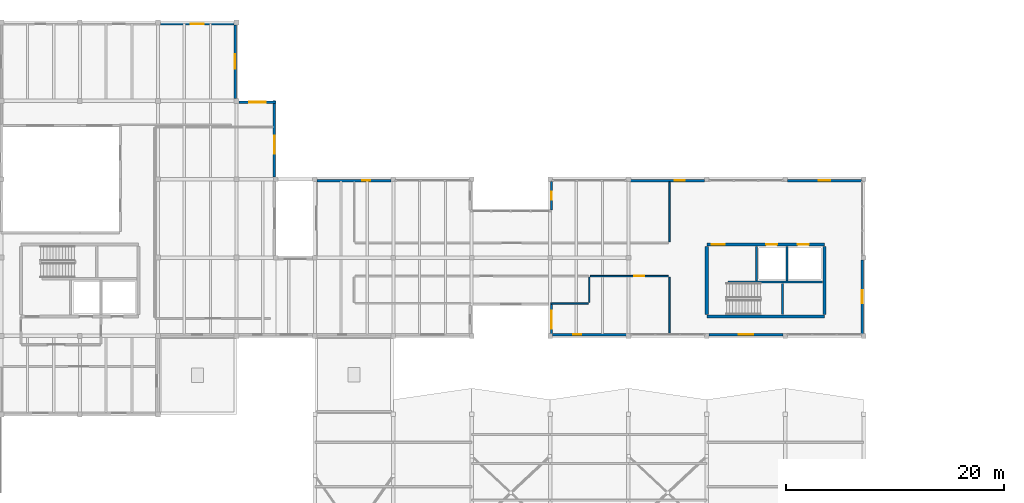
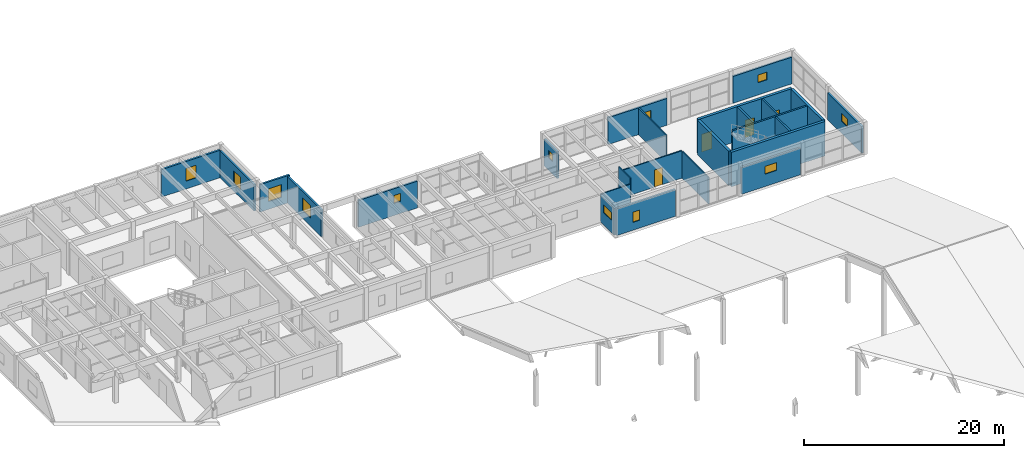
# One storey, part 60 of 68: 25 walls, 12 windows, 4 doors, 16 openings.
"""IFC4 building model written with IfcOpenShell, lengths in metres."""

from ifc_helpers import new_model, si_unit, direction, frame, frame_2d, origin, place, context, subcontext, project, spatial, rectangle, extrude, material, layer, layer_set, type_object, element, fill, save


model = new_model("IFC4")

# Units and contexts
model_context = context("Model", 3, precision=1e-05, world=origin(), true_north=direction((0.0, 1.0)))
body_context = subcontext(model_context, "Body", "Model", "MODEL_VIEW")
ifc_project = project(units=[si_unit("LENGTHUNIT", "METRE"), si_unit("AREAUNIT", "SQUARE_METRE"), si_unit("VOLUMEUNIT", "CUBIC_METRE"), si_unit("PLANEANGLEUNIT", "RADIAN"), si_unit("MASSUNIT", "GRAM", prefix="KILO")], contexts=[model_context])

# Site, building, storey
site_placement = place(None, origin())
site = spatial("IfcSite", under=ifc_project, at=site_placement, CompositionType="ELEMENT")
building_placement = place(site_placement, origin())
building = spatial("IfcBuilding", under=site, at=building_placement, Name="Bramvelor Terrace Health Centre", CompositionType="ELEMENT")
storey_placement = place(building_placement, frame((0.0, 0.0, 9.300048828125)))
storey = spatial("IfcBuildingStorey", under=building, at=storey_placement, Name="L03", CompositionType="ELEMENT", Elevation=9.300048828125)

# Walls
ifc_material_1 = material(Name="Acoustic clinical partition board", Category="gypsum")
ifc_layer_1 = layer(ifc_material_1, 0.1201171875)
ifc_layer_set_1 = layer_set([ifc_layer_1], Name="Acoustic clinical partition board")
wall_type_1 = type_object("IfcWallType", Name="WL-CLN-120", PredefinedType="PARTITIONING", material=ifc_layer_set_1)
wall_1_placement = place(storey_placement, frame((68.39990234375, 91.80810546875, 0.0), z_axis=(0.0, 0.0, 1.0), x_axis=(0.0, -1.0, 0.0)))
element("IfcWall", 1, at=wall_1_placement, inside=storey, type_object=wall_type_1, Name="L03 Interior Partition 266", PredefinedType="PARTITIONING", context=body_context, shape_type="SweptSolid", body=[
    extrude(rectangle(XDim=2.318115234375, YDim=0.1201171875, at=frame_2d((1.1591796875, 0.0))), origin(), (0.0, 0.0, 1.0), 3.969970703125),
])
ifc_material_2 = material(Name="Acoustic clinical partition board", Category="gypsum")
ifc_layer_2 = layer(ifc_material_2, 0.1298828125)
ifc_layer_set_2 = layer_set([ifc_layer_2], Name="Acoustic clinical partition board")
wall_type_2 = type_object("IfcWallType", Name="WL-CLN-130", PredefinedType="PARTITIONING", material=ifc_layer_set_2)
wall_2_placement = place(storey_placement, frame((68.31005859375, 89.39990234375, 0.0), z_axis=(0.0, 0.0, 1.0), x_axis=(-1.0, 0.0, 0.0)))
element("IfcWall", 2, at=wall_2_placement, inside=storey, type_object=wall_type_2, Name="L03 Interior Partition 262", PredefinedType="PARTITIONING", context=body_context, shape_type="SweptSolid", body=[
    extrude(rectangle(XDim=3.440673828125, YDim=0.1298828125, at=frame_2d((1.72021484375, 0.0))), origin(), (0.0, 0.0, 1.0), 3.349853515625),
])
wall_3_placement = place(storey_placement, frame((75.75, 91.80810546875, 0.0), z_axis=(0.0, 0.0, 1.0), x_axis=(0.0, -1.0, 0.0)))
element("IfcWall", 3, at=wall_3_placement, inside=storey, type_object=wall_type_2, Name="L03 Interior Partition 268", PredefinedType="PARTITIONING", context=body_context, shape_type="SweptSolid", body=[
    extrude(rectangle(XDim=5.17822265625, YDim=0.1298828125, at=frame_2d((2.589111328125, 0.0))), origin(), (0.0, 0.0, 1.0), 3.27001953125),
])

# Wall, opening, door
ifc_material_3 = material(Name="Fire-rated gypsum and mineral wool", Category="gypsum")
ifc_layer_3 = layer(ifc_material_3, 0.139892578125)
ifc_layer_set_3 = layer_set([ifc_layer_3], Name="Fire-rated gypsum and mineral wool")
wall_type_3 = type_object("IfcWallType", Name="WL-COR-140", PredefinedType="PARTITIONING", material=ifc_layer_set_3)
wall_4_placement = place(storey_placement, frame((68.5, 91.89794921875, 0.0), z_axis=(0.0, 0.0, 1.0), x_axis=(1.0, 0.0, 0.0)))
wall_4 = element("IfcWall", 4, at=wall_4_placement, inside=storey, type_object=wall_type_3, Name="L03 Interior Partition 267", PredefinedType="PARTITIONING", context=body_context, shape_type="SweptSolid", body=[
    extrude(rectangle(XDim=7.159912109375, YDim=0.139892578125, at=frame_2d((3.580078125, 0.0))), origin(), (0.0, 0.0, 1.0), 3.349853515625),
])
opening_1_placement = place(wall_4_placement, frame((4.010009765625, 0.0, 0.0)))
opening_1 = element("IfcOpeningElement", 5, at=opening_1_placement, cuts=wall_4, Name="Opening FD-08", PredefinedType="OPENING", context=body_context, shape_type="SweptSolid", body=[
    extrude(rectangle(XDim=0.93994140625, YDim=2.10009765625, at=frame_2d((0.469970703125, 1.050048828125))), frame((0.0, 0.079833984375, 0.0), z_axis=(0.0, -1.0, 0.0), x_axis=(1.0, 0.0, 0.0)), (0.0, 0.0, 1.0), 0.159912109375),
])
ifc_material_4 = material(Name="Fire-rated steel and vision panel", Category="steel")
door_type_1 = type_object("IfcDoorType", Name="DR-FD60-094", OperationType="NOTDEFINED", PredefinedType="DOOR", material=ifc_material_4)
door_1_placement = place(opening_1_placement, origin())
door_1 = element("IfcDoor", 6, at=door_1_placement, inside=storey, type_object=door_type_1, Name="L03 Microbiology Diagnostics BSL-2 Lab Fire Door", OperationType="SINGLE_SWING_LEFT", OverallHeight=2.10009765625, OverallWidth=0.93994140625, PredefinedType="DOOR", context=body_context, shape_type="SweptSolid", body=[
    extrude(rectangle(XDim=0.93994140625, YDim=2.10009765625, at=frame_2d((0.469970703125, 1.050048828125))), frame((0.0, 0.02490234375, 0.0), z_axis=(0.0, -1.0, 0.0), x_axis=(1.0, 0.0, 0.0)), (0.0, 0.0, 1.0), 0.050048828125),
])
fill(opening_1, door_1)

# Walls
wall_5_placement = place(storey_placement, frame((75.75, 100.550048828125, 0.0), z_axis=(0.0, 0.0, 1.0), x_axis=(0.0, -1.0, 0.0)))
element("IfcWall", 7, at=wall_5_placement, inside=storey, type_object=wall_type_3, Name="L03 Interior Partition 271", PredefinedType="PARTITIONING", context=body_context, shape_type="SweptSolid", body=[
    extrude(rectangle(XDim=5.508056640625, YDim=0.139892578125, at=frame_2d((2.75390625, 0.0))), origin(), (0.0, 0.0, 1.0), 3.27001953125),
])
ifc_material_5 = material(Name="Concrete C40/50", Category="concrete")
ifc_layer_4 = layer(ifc_material_5, 0.199951171875)
ifc_layer_set_4 = layer_set([ifc_layer_4], Name="Concrete C40/50")
wall_type_4 = type_object("IfcWallType", Name="WL-CORE-200", PredefinedType="SHEAR", material=ifc_layer_set_4)
wall_6_placement = place(storey_placement, frame((81.14990234375, 91.35009765625, 0.0), z_axis=(0.0, 0.0, 1.0), x_axis=(1.0, 0.0, 0.0)))
element("IfcWall", 8, at=wall_6_placement, inside=storey, type_object=wall_type_4, Name="C4 L03 Core Shear Wall", PredefinedType="SHEAR", context=body_context, shape_type="SweptSolid", body=[
    extrude(rectangle(XDim=8.670166015625, YDim=0.199951171875, at=frame_2d((4.3349609375, 0.0))), origin(), (0.0, 0.0, 1.0), 4.199951171875),
])
wall_7_placement = place(storey_placement, frame((86.155029296875, 88.3798828125, 0.0), z_axis=(0.0, 0.0, 1.0), x_axis=(0.0, 1.0, 0.0)))
element("IfcWall", 9, at=wall_7_placement, inside=storey, type_object=wall_type_4, Name="C4 L03 Core Shear Wall", PredefinedType="SHEAR", context=body_context, shape_type="SweptSolid", body=[
    extrude(rectangle(XDim=2.85009765625, YDim=0.199951171875, at=frame_2d((1.425048828125, 0.0))), origin(), (0.0, 0.0, 1.0), 4.199951171875),
])
for number, where, z_axis, x_axis, name in (
    (10, (83.75, 91.469970703125, 0.0), (0.0, 0.0, 1.0), (0.0, 1.0, 0.0), "C4 L03 Core Shear Wall"),
    (11, (86.550048828125, 91.469970703125, 0.0), (0.0, 0.0, 1.0), (0.0, 1.0, 0.0), "C4 L03 Lift Divider Wall"),
):
    element("IfcWall", number, at=place(storey_placement, frame(where, z_axis=z_axis, x_axis=x_axis)), inside=storey, type_object=wall_type_4, Name=name, PredefinedType="SHEAR", context=body_context, shape_type="SweptSolid", body=[
        extrude(rectangle(XDim=3.150146484375, YDim=0.199951171875, at=frame_2d((1.5751953125, 0.0))), origin(), (0.0, 0.0, 1.0), 4.199951171875),
    ])
ifc_material_6 = material(Name="Concrete C40/50", Category="concrete")
ifc_layer_5 = layer(ifc_material_6, 0.300048828125)
ifc_layer_set_5 = layer_set([ifc_layer_5], Name="Concrete C40/50")
wall_type_5 = type_object("IfcWallType", Name="WL-CORE-300", PredefinedType="SHEAR", material=ifc_layer_set_5)
wall_8_placement = place(storey_placement, frame((79.199951171875, 88.199951171875, 0.0), z_axis=(0.0, 0.0, 1.0), x_axis=(1.0, 0.0, 0.0)))
element("IfcWall", 12, at=wall_8_placement, inside=storey, type_object=wall_type_5, Name="C4 L03 Core Shear Wall", PredefinedType="SHEAR", context=body_context, shape_type="SweptSolid", body=[
    extrude(rectangle(XDim=10.800048828125, YDim=0.300048828125, at=frame_2d((5.39990234375, 0.0))), origin(), (0.0, 0.0, 1.0), 4.199951171875),
])

# Wall, openings, doors
wall_9_placement = place(storey_placement, frame((79.199951171875, 94.800048828125, 0.0), z_axis=(0.0, 0.0, 1.0), x_axis=(1.0, 0.0, 0.0)))
wall_9 = element("IfcWall", 13, at=wall_9_placement, inside=storey, type_object=wall_type_5, Name="C4 L03 Core Shear Wall", PredefinedType="SHEAR", context=body_context, shape_type="SweptSolid", body=[
    extrude(rectangle(XDim=10.800048828125, YDim=0.300048828125, at=frame_2d((5.39990234375, 0.0))), origin(), (0.0, 0.0, 1.0), 4.199951171875),
])
opening_2_placement = place(wall_9_placement, frame((0.449951171875, 0.0, 0.0)))
opening_2 = element("IfcOpeningElement", 14, at=opening_2_placement, cuts=wall_9, Name="Opening FD-02", PredefinedType="OPENING", context=body_context, shape_type="SweptSolid", body=[
    extrude(rectangle(XDim=1.179931640625, YDim=2.159912109375, at=frame_2d((0.58984375, 1.080078125))), frame((0.0, 0.159912109375, 0.0), z_axis=(0.0, -1.0, 0.0), x_axis=(1.0, 0.0, 0.0)), (0.0, 0.0, 1.0), 0.320068359375),
])
opening_3_placement = place(wall_9_placement, frame((5.43994140625, 0.0, 0.0)))
opening_3 = element("IfcOpeningElement", 15, at=opening_3_placement, cuts=wall_9, Name="Opening LD-2", PredefinedType="OPENING", context=body_context, shape_type="SweptSolid", body=[
    extrude(rectangle(XDim=1.02001953125, YDim=2.1201171875, at=frame_2d((0.510009765625, 1.06005859375))), frame((0.0, 0.159912109375, 0.0), z_axis=(0.0, -1.0, 0.0), x_axis=(1.0, 0.0, 0.0)), (0.0, 0.0, 1.0), 0.320068359375),
])
opening_4_placement = place(wall_9_placement, frame((8.340087890625, 0.0, 0.0)))
opening_4 = element("IfcOpeningElement", 16, at=opening_4_placement, cuts=wall_9, Name="Opening LD-2", PredefinedType="OPENING", context=body_context, shape_type="SweptSolid", body=[
    extrude(rectangle(XDim=1.02001953125, YDim=2.1201171875, at=frame_2d((0.510009765625, 1.06005859375))), frame((0.0, 0.159912109375, 0.0), z_axis=(0.0, -1.0, 0.0), x_axis=(1.0, 0.0, 0.0)), (0.0, 0.0, 1.0), 0.320068359375),
])
ifc_material_7 = material(Name="Fire-rated steel and vision panel", Category="steel")
door_type_2 = type_object("IfcDoorType", Name="DR-FD90-118", OperationType="NOTDEFINED", PredefinedType="DOOR", material=ifc_material_7)
door_2_placement = place(opening_2_placement, origin())
door_2 = element("IfcDoor", 17, at=door_2_placement, inside=storey, type_object=door_type_2, Name="C4 L03 Core Stair Fire Door", OperationType="SINGLE_SWING_LEFT", OverallHeight=2.159912109375, OverallWidth=1.179931640625, PredefinedType="DOOR", context=body_context, shape_type="SweptSolid", body=[
    extrude(rectangle(XDim=1.179931640625, YDim=2.159912109375, at=frame_2d((0.58984375, 1.080078125))), frame((0.0, 0.02490234375, 0.0), z_axis=(0.0, -1.0, 0.0), x_axis=(1.0, 0.0, 0.0)), (0.0, 0.0, 1.0), 0.050048828125),
])
fill(opening_2, door_2)
ifc_material_8 = material(Name="Brushed stainless steel 316", Category="steel")
door_type_3 = type_object("IfcDoorType", Name="DR-LIFT-PS102", OperationType="SLIDING_TO_LEFT", PredefinedType="DOOR", material=ifc_material_8)
door_3_placement = place(opening_3_placement, origin())
door_3 = element("IfcDoor", 18, at=door_3_placement, inside=storey, type_object=door_type_3, Name="Lift LS-01 L03 Sliding Landing Door", OperationType="SLIDING_TO_LEFT", OverallHeight=2.1201171875, OverallWidth=1.02001953125, PredefinedType="DOOR", context=body_context, shape_type="SweptSolid", body=[
    extrude(rectangle(XDim=1.02001953125, YDim=2.1201171875, at=frame_2d((0.510009765625, 1.06005859375))), frame((0.0, 0.02490234375, 0.0), z_axis=(0.0, -1.0, 0.0), x_axis=(1.0, 0.0, 0.0)), (0.0, 0.0, 1.0), 0.050048828125),
])
fill(opening_3, door_3)
door_4_placement = place(opening_4_placement, origin())
door_4 = element("IfcDoor", 19, at=door_4_placement, inside=storey, type_object=door_type_3, Name="Lift LS-02 L03 Sliding Landing Door", OperationType="SLIDING_TO_LEFT", OverallHeight=2.1201171875, OverallWidth=1.02001953125, PredefinedType="DOOR", context=body_context, shape_type="SweptSolid", body=[
    extrude(rectangle(XDim=1.02001953125, YDim=2.1201171875, at=frame_2d((0.510009765625, 1.06005859375))), frame((0.0, 0.02490234375, 0.0), z_axis=(0.0, -1.0, 0.0), x_axis=(1.0, 0.0, 0.0)), (0.0, 0.0, 1.0), 0.050048828125),
])
fill(opening_4, door_4)

# Walls
for number, where, z_axis, x_axis, name in (
    (20, (79.199951171875, 88.3798828125, 0.0), (0.0, 0.0, 1.0), (0.0, 1.0, 0.0), "C4 L03 Core Shear Wall"),
    (21, (90.0, 88.3798828125, 0.0), (0.0, 0.0, 1.0), (0.0, 1.0, 0.0), "C4 L03 Core Shear Wall"),
):
    element("IfcWall", number, at=place(storey_placement, frame(where, z_axis=z_axis, x_axis=x_axis)), inside=storey, type_object=wall_type_5, Name=name, PredefinedType="SHEAR", context=body_context, shape_type="SweptSolid", body=[
        extrude(rectangle(XDim=6.240234375, YDim=0.300048828125, at=frame_2d((3.1201171875, 0.0))), origin(), (0.0, 0.0, 1.0), 4.199951171875),
    ])

# Wall, opening, window
ifc_material_9 = material(Name="Cross-laminated timber C24", Category="wood")
ifc_layer_6 = layer(ifc_material_9, 0.219970703125)
ifc_layer_set_6 = layer_set([ifc_layer_6], Name="Cross-laminated timber C24")
wall_type_6 = type_object("IfcWallType", Name="WL-EXT-CLT220", PredefinedType="SOLIDWALL", material=ifc_layer_set_6)
wall_10_placement = place(storey_placement, frame((43.405029296875, 100.669921875, 0.0), z_axis=(0.0, 0.0, 1.0), x_axis=(1.0, 0.0, 0.0)))
wall_10 = element("IfcWall", 22, at=wall_10_placement, inside=storey, type_object=wall_type_6, Name="L03 Exterior Facade Wall 43", PredefinedType="SOLIDWALL", context=body_context, shape_type="SweptSolid", body=[
    extrude(rectangle(XDim=6.7900390625, YDim=0.219970703125, at=frame_2d((3.39501953125, 0.0))), origin(), (0.0, 0.0, 1.0), 3.27001953125),
])
opening_5_placement = place(wall_10_placement, frame((4.1201171875, 0.0, 1.5)))
opening_5 = element("IfcOpeningElement", 23, at=opening_5_placement, cuts=wall_10, Name="Opening WN-13", PredefinedType="OPENING", context=body_context, shape_type="SweptSolid", body=[
    extrude(rectangle(XDim=0.75, YDim=0.949951171875, at=frame_2d((0.375, 0.47509765625))), frame((0.0, 0.119873046875, 0.0), z_axis=(0.0, -1.0, 0.0), x_axis=(1.0, 0.0, 0.0)), (0.0, 0.0, 1.0), 0.239990234375),
])
ifc_material_10 = material(Name="Double low-E laminated glass", Category="glass")
window_type_1 = type_object("IfcWindowType", Name="WIN-EXT-13", PartitioningType="SINGLE_PANEL", PredefinedType="WINDOW", material=ifc_material_10)
window_1_placement = place(opening_5_placement, origin())
window_1 = element("IfcWindow", 24, at=window_1_placement, inside=storey, type_object=window_type_1, Name="L03 Scheduled Clinical Window 131", OverallHeight=0.949951171875, OverallWidth=0.75, PartitioningType="SINGLE_PANEL", PredefinedType="WINDOW", context=body_context, shape_type="SweptSolid", body=[
    extrude(rectangle(XDim=0.75, YDim=0.949951171875, at=frame_2d((0.375, 0.47509765625))), frame((0.0, 0.030029296875, 0.0), z_axis=(0.0, -1.0, 0.0), x_axis=(1.0, 0.0, 0.0)), (0.0, 0.0, 1.0), 0.06005859375),
])
fill(opening_5, window_1)

wall_11_placement = place(storey_placement, frame((64.929931640625, 97.97998046875, 0.0), z_axis=(0.0, 0.0, 1.0), x_axis=(0.0, 1.0, 0.0)))
wall_11 = element("IfcWall", 25, at=wall_11_placement, inside=storey, type_object=wall_type_6, Name="L03 Exterior Facade Wall 47", PredefinedType="SOLIDWALL", context=body_context, shape_type="SweptSolid", body=[
    extrude(rectangle(XDim=2.614990234375, YDim=0.219970703125, at=frame_2d((1.3076171875, 0.0))), origin(), (0.0, 0.0, 1.0), 3.27001953125),
])
opening_6_placement = place(wall_11_placement, frame((0.9326171875, 0.0, 1.5)))
opening_6 = element("IfcOpeningElement", 26, at=opening_6_placement, cuts=wall_11, Name="Opening WN-13", PredefinedType="OPENING", context=body_context, shape_type="SweptSolid", body=[
    extrude(rectangle(XDim=0.75, YDim=0.949951171875, at=frame_2d((0.375, 0.47509765625))), frame((0.0, 0.119873046875, 0.0), z_axis=(0.0, -1.0, 0.0), x_axis=(1.0, 0.0, 0.0)), (0.0, 0.0, 1.0), 0.239990234375),
])
window_2_placement = place(opening_6_placement, origin())
window_2 = element("IfcWindow", 27, at=window_2_placement, inside=storey, type_object=window_type_1, Name="L03 Scheduled Clinical Window 133", OverallHeight=0.949951171875, OverallWidth=0.75, PartitioningType="SINGLE_PANEL", PredefinedType="WINDOW", context=body_context, shape_type="SweptSolid", body=[
    extrude(rectangle(XDim=0.75, YDim=0.949951171875, at=frame_2d((0.375, 0.47509765625))), frame((0.0, 0.030029296875, 0.0), z_axis=(0.0, -1.0, 0.0), x_axis=(1.0, 0.0, 0.0)), (0.0, 0.0, 1.0), 0.06005859375),
])
fill(opening_6, window_2)

wall_12_placement = place(storey_placement, frame((72.205078125, 100.669921875, 0.0), z_axis=(0.0, 0.0, 1.0), x_axis=(1.0, 0.0, 0.0)))
wall_12 = element("IfcWall", 28, at=wall_12_placement, inside=storey, type_object=wall_type_6, Name="L03 Exterior Facade Wall 49", PredefinedType="SOLIDWALL", context=body_context, shape_type="SweptSolid", body=[
    extrude(rectangle(XDim=6.7900390625, YDim=0.219970703125, at=frame_2d((3.39501953125, 0.0))), origin(), (0.0, 0.0, 1.0), 3.27001953125),
])
opening_7_placement = place(wall_12_placement, frame((4.044921875, 0.0, 1.5)))
opening_7 = element("IfcOpeningElement", 29, at=opening_7_placement, cuts=wall_12, Name="Opening WN-14", PredefinedType="OPENING", context=body_context, shape_type="SweptSolid", body=[
    extrude(rectangle(XDim=0.89990234375, YDim=0.949951171875, at=frame_2d((0.449951171875, 0.47509765625))), frame((0.0, 0.119873046875, 0.0), z_axis=(0.0, -1.0, 0.0), x_axis=(1.0, 0.0, 0.0)), (0.0, 0.0, 1.0), 0.239990234375),
])
ifc_material_11 = material(Name="Double low-E laminated glass", Category="glass")
window_type_2 = type_object("IfcWindowType", Name="WIN-EXT-14", PartitioningType="SINGLE_PANEL", PredefinedType="WINDOW", material=ifc_material_11)
window_3_placement = place(opening_7_placement, origin())
window_3 = element("IfcWindow", 30, at=window_3_placement, inside=storey, type_object=window_type_2, Name="L03 Scheduled Clinical Window 134", OverallHeight=0.949951171875, OverallWidth=0.89990234375, PartitioningType="SINGLE_PANEL", PredefinedType="WINDOW", context=body_context, shape_type="SweptSolid", body=[
    extrude(rectangle(XDim=0.89990234375, YDim=0.949951171875, at=frame_2d((0.449951171875, 0.47509765625))), frame((0.0, 0.030029296875, 0.0), z_axis=(0.0, -1.0, 0.0), x_axis=(1.0, 0.0, 0.0)), (0.0, 0.0, 1.0), 0.06005859375),
])
fill(opening_7, window_3)

wall_13_placement = place(storey_placement, frame((86.60498046875, 100.669921875, 0.0), z_axis=(0.0, 0.0, 1.0), x_axis=(1.0, 0.0, 0.0)))
wall_13 = element("IfcWall", 31, at=wall_13_placement, inside=storey, type_object=wall_type_6, Name="L03 Exterior Facade Wall 51", PredefinedType="SOLIDWALL", context=body_context, shape_type="SweptSolid", body=[
    extrude(rectangle(XDim=6.7900390625, YDim=0.219970703125, at=frame_2d((3.39501953125, 0.0))), origin(), (0.0, 0.0, 1.0), 3.27001953125),
])
opening_8_placement = place(wall_13_placement, frame((2.8701171875, 0.0, 1.5)))
opening_8 = element("IfcOpeningElement", 32, at=opening_8_placement, cuts=wall_13, Name="Opening WN-15", PredefinedType="OPENING", context=body_context, shape_type="SweptSolid", body=[
    extrude(rectangle(XDim=1.050048828125, YDim=0.949951171875, at=frame_2d((0.52490234375, 0.47509765625))), frame((0.0, 0.119873046875, 0.0), z_axis=(0.0, -1.0, 0.0), x_axis=(1.0, 0.0, 0.0)), (0.0, 0.0, 1.0), 0.239990234375),
])
ifc_material_12 = material(Name="Double low-E laminated glass", Category="glass")
window_type_3 = type_object("IfcWindowType", Name="WIN-EXT-15", PartitioningType="SINGLE_PANEL", PredefinedType="WINDOW", material=ifc_material_12)
window_4_placement = place(opening_8_placement, origin())
window_4 = element("IfcWindow", 33, at=window_4_placement, inside=storey, type_object=window_type_3, Name="L03 Scheduled Clinical Window 135", OverallHeight=0.949951171875, OverallWidth=1.050048828125, PartitioningType="SINGLE_PANEL", PredefinedType="WINDOW", context=body_context, shape_type="SweptSolid", body=[
    extrude(rectangle(XDim=1.050048828125, YDim=0.949951171875, at=frame_2d((0.52490234375, 0.47509765625))), frame((0.0, 0.030029296875, 0.0), z_axis=(0.0, -1.0, 0.0), x_axis=(1.0, 0.0, 0.0)), (0.0, 0.0, 1.0), 0.06005859375),
])
fill(opening_8, window_4)

wall_14_placement = place(storey_placement, frame((93.469970703125, 93.39501953125, 0.0), z_axis=(0.0, 0.0, 1.0), x_axis=(0.0, -1.0, 0.0)))
wall_14 = element("IfcWall", 34, at=wall_14_placement, inside=storey, type_object=wall_type_6, Name="L03 Exterior Facade Wall 53", PredefinedType="SOLIDWALL", context=body_context, shape_type="SweptSolid", body=[
    extrude(rectangle(XDim=6.7900390625, YDim=0.219970703125, at=frame_2d((3.39501953125, 0.0))), origin(), (0.0, 0.0, 1.0), 3.27001953125),
])
opening_9_placement = place(wall_14_placement, frame((2.794921875, 0.0, 1.5)))
opening_9 = element("IfcOpeningElement", 35, at=opening_9_placement, cuts=wall_14, Name="Opening WN-16", PredefinedType="OPENING", context=body_context, shape_type="SweptSolid", body=[
    extrude(rectangle(XDim=1.199951171875, YDim=0.949951171875, at=frame_2d((0.60009765625, 0.47509765625))), frame((0.0, 0.119873046875, 0.0), z_axis=(0.0, -1.0, 0.0), x_axis=(1.0, 0.0, 0.0)), (0.0, 0.0, 1.0), 0.239990234375),
])
ifc_material_13 = material(Name="Double low-E laminated glass", Category="glass")
window_type_4 = type_object("IfcWindowType", Name="WIN-EXT-16", PartitioningType="SINGLE_PANEL", PredefinedType="WINDOW", material=ifc_material_13)
window_5_placement = place(opening_9_placement, origin())
window_5 = element("IfcWindow", 36, at=window_5_placement, inside=storey, type_object=window_type_4, Name="L03 Scheduled Clinical Window 136", OverallHeight=0.949951171875, OverallWidth=1.199951171875, PartitioningType="SINGLE_PANEL", PredefinedType="WINDOW", context=body_context, shape_type="SweptSolid", body=[
    extrude(rectangle(XDim=1.199951171875, YDim=0.949951171875, at=frame_2d((0.60009765625, 0.47509765625))), frame((0.0, 0.030029296875, 0.0), z_axis=(0.0, -1.0, 0.0), x_axis=(1.0, 0.0, 0.0)), (0.0, 0.0, 1.0), 0.06005859375),
])
fill(opening_9, window_5)

wall_15_placement = place(storey_placement, frame((86.195068359375, 86.530029296875, 0.0), z_axis=(0.0, 0.0, 1.0), x_axis=(-1.0, 0.0, 0.0)))
wall_15 = element("IfcWall", 37, at=wall_15_placement, inside=storey, type_object=wall_type_6, Name="L03 Exterior Facade Wall 55", PredefinedType="SOLIDWALL", context=body_context, shape_type="SweptSolid", body=[
    extrude(rectangle(XDim=6.7900390625, YDim=0.219970703125, at=frame_2d((3.39501953125, 0.0))), origin(), (0.0, 0.0, 1.0), 3.27001953125),
])
opening_10_placement = place(wall_15_placement, frame((2.719970703125, 0.0, 1.5)))
opening_10 = element("IfcOpeningElement", 38, at=opening_10_placement, cuts=wall_15, Name="Opening WN-17", PredefinedType="OPENING", context=body_context, shape_type="SweptSolid", body=[
    extrude(rectangle(XDim=1.35009765625, YDim=0.949951171875, at=frame_2d((0.675048828125, 0.47509765625))), frame((0.0, 0.119873046875, 0.0), z_axis=(0.0, -1.0, 0.0), x_axis=(1.0, 0.0, 0.0)), (0.0, 0.0, 1.0), 0.239990234375),
])
ifc_material_14 = material(Name="Double low-E laminated glass", Category="glass")
window_type_5 = type_object("IfcWindowType", Name="WIN-EXT-17", PartitioningType="SINGLE_PANEL", PredefinedType="WINDOW", material=ifc_material_14)
window_6_placement = place(opening_10_placement, origin())
window_6 = element("IfcWindow", 39, at=window_6_placement, inside=storey, type_object=window_type_5, Name="L03 Scheduled Clinical Window 137", OverallHeight=0.949951171875, OverallWidth=1.35009765625, PartitioningType="SINGLE_PANEL", PredefinedType="WINDOW", context=body_context, shape_type="SweptSolid", body=[
    extrude(rectangle(XDim=1.35009765625, YDim=0.949951171875, at=frame_2d((0.675048828125, 0.47509765625))), frame((0.0, 0.030029296875, 0.0), z_axis=(0.0, -1.0, 0.0), x_axis=(1.0, 0.0, 0.0)), (0.0, 0.0, 1.0), 0.06005859375),
])
fill(opening_10, window_6)

wall_16_placement = place(storey_placement, frame((71.794921875, 86.530029296875, 0.0), z_axis=(0.0, 0.0, 1.0), x_axis=(-1.0, 0.0, 0.0)))
wall_16 = element("IfcWall", 40, at=wall_16_placement, inside=storey, type_object=wall_type_6, Name="L03 Exterior Facade Wall 57", PredefinedType="SOLIDWALL", context=body_context, shape_type="SweptSolid", body=[
    extrude(rectangle(XDim=6.7900390625, YDim=0.219970703125, at=frame_2d((3.39501953125, 0.0))), origin(), (0.0, 0.0, 1.0), 3.27001953125),
])
opening_11_placement = place(wall_16_placement, frame((4.1201171875, 0.0, 0.949951171875)))
opening_11 = element("IfcOpeningElement", 41, at=opening_11_placement, cuts=wall_16, Name="Opening WN-25", PredefinedType="OPENING", context=body_context, shape_type="SweptSolid", body=[
    extrude(rectangle(XDim=0.75, YDim=1.25, at=frame_2d((0.375, 0.625))), frame((0.0, 0.119873046875, 0.0), z_axis=(0.0, -1.0, 0.0), x_axis=(1.0, 0.0, 0.0)), (0.0, 0.0, 1.0), 0.239990234375),
])
ifc_material_15 = material(Name="Double low-E laminated glass", Category="glass")
window_type_6 = type_object("IfcWindowType", Name="WIN-EXT-25", PartitioningType="SINGLE_PANEL", PredefinedType="WINDOW", material=ifc_material_15)
window_7_placement = place(opening_11_placement, origin())
window_7 = element("IfcWindow", 42, at=window_7_placement, inside=storey, type_object=window_type_6, Name="L03 Scheduled Clinical Window 138", OverallHeight=1.25, OverallWidth=0.75, PartitioningType="SINGLE_PANEL", PredefinedType="WINDOW", context=body_context, shape_type="SweptSolid", body=[
    extrude(rectangle(XDim=0.75, YDim=1.25, at=frame_2d((0.375, 0.625))), frame((0.0, 0.030029296875, 0.0), z_axis=(0.0, -1.0, 0.0), x_axis=(1.0, 0.0, 0.0)), (0.0, 0.0, 1.0), 0.06005859375),
])
fill(opening_11, window_7)

wall_17_placement = place(storey_placement, frame((64.929931640625, 86.60498046875, 0.0), z_axis=(0.0, 0.0, 1.0), x_axis=(0.0, 1.0, 0.0)))
wall_17 = element("IfcWall", 43, at=wall_17_placement, inside=storey, type_object=wall_type_6, Name="L03 Exterior Facade Wall 58", PredefinedType="SOLIDWALL", context=body_context, shape_type="SweptSolid", body=[
    extrude(rectangle(XDim=2.74609375, YDim=0.219970703125, at=frame_2d((1.373046875, 0.0))), origin(), (0.0, 0.0, 1.0), 3.27001953125),
])
opening_12_placement = place(wall_17_placement, frame((0.482421875, 0.0, 1.5)))
opening_12 = element("IfcOpeningElement", 44, at=opening_12_placement, cuts=wall_17, Name="Opening WN-19", PredefinedType="OPENING", context=body_context, shape_type="SweptSolid", body=[
    extrude(rectangle(XDim=1.64990234375, YDim=0.949951171875, at=frame_2d((0.824951171875, 0.47509765625))), frame((0.0, 0.119873046875, 0.0), z_axis=(0.0, -1.0, 0.0), x_axis=(1.0, 0.0, 0.0)), (0.0, 0.0, 1.0), 0.239990234375),
])
ifc_material_16 = material(Name="Double low-E laminated glass", Category="glass")
window_type_7 = type_object("IfcWindowType", Name="WIN-EXT-19", PartitioningType="SINGLE_PANEL", PredefinedType="WINDOW", material=ifc_material_16)
window_8_placement = place(opening_12_placement, origin())
window_8 = element("IfcWindow", 45, at=window_8_placement, inside=storey, type_object=window_type_7, Name="L03 Scheduled Clinical Window 139", OverallHeight=0.949951171875, OverallWidth=1.64990234375, PartitioningType="SINGLE_PANEL", PredefinedType="WINDOW", context=body_context, shape_type="SweptSolid", body=[
    extrude(rectangle(XDim=1.64990234375, YDim=0.949951171875, at=frame_2d((0.824951171875, 0.47509765625))), frame((0.0, 0.030029296875, 0.0), z_axis=(0.0, -1.0, 0.0), x_axis=(1.0, 0.0, 0.0)), (0.0, 0.0, 1.0), 0.06005859375),
])
fill(opening_12, window_8)

wall_18_placement = place(storey_placement, frame((29.02001953125, 115.070068359375, 0.0), z_axis=(0.0, 0.0, 1.0), x_axis=(1.0, 0.0, 0.0)))
wall_18 = element("IfcWall", 46, at=wall_18_placement, inside=storey, type_object=wall_type_6, Name="L03 Exterior Facade Wall 80", PredefinedType="SOLIDWALL", context=body_context, shape_type="SweptSolid", body=[
    extrude(rectangle(XDim=6.760009765625, YDim=0.219970703125, at=frame_2d((3.3798828125, 0.0))), origin(), (0.0, 0.0, 1.0), 3.349853515625),
])
opening_13_placement = place(wall_18_placement, frame((2.780029296875, 0.0, 0.949951171875)))
opening_13 = element("IfcOpeningElement", 47, at=opening_13_placement, cuts=wall_18, Name="Opening WN-40", PredefinedType="OPENING", context=body_context, shape_type="SweptSolid", body=[
    extrude(rectangle(XDim=1.199951171875, YDim=1.550048828125, at=frame_2d((0.60009765625, 0.77490234375))), frame((0.0, 0.119873046875, 0.0), z_axis=(0.0, -1.0, 0.0), x_axis=(1.0, 0.0, 0.0)), (0.0, 0.0, 1.0), 0.239990234375),
])
ifc_material_17 = material(Name="Double low-E laminated glass", Category="glass")
window_type_8 = type_object("IfcWindowType", Name="WIN-EXT-40", PartitioningType="SINGLE_PANEL", PredefinedType="WINDOW", material=ifc_material_17)
window_9_placement = place(opening_13_placement, origin())
window_9 = element("IfcWindow", 48, at=window_9_placement, inside=storey, type_object=window_type_8, Name="L03 Scheduled Clinical Window 160", OverallHeight=1.550048828125, OverallWidth=1.199951171875, PartitioningType="SINGLE_PANEL", PredefinedType="WINDOW", context=body_context, shape_type="SweptSolid", body=[
    extrude(rectangle(XDim=1.199951171875, YDim=1.550048828125, at=frame_2d((0.60009765625, 0.77490234375))), frame((0.0, 0.030029296875, 0.0), z_axis=(0.0, -1.0, 0.0), x_axis=(1.0, 0.0, 0.0)), (0.0, 0.0, 1.0), 0.06005859375),
])
fill(opening_13, window_9)

wall_19_placement = place(storey_placement, frame((35.8701171875, 114.97998046875, 0.0), z_axis=(0.0, 0.0, 1.0), x_axis=(0.0, -1.0, 0.0)))
wall_19 = element("IfcWall", 49, at=wall_19_placement, inside=storey, type_object=wall_type_6, Name="L03 Exterior Facade Wall 81", PredefinedType="SOLIDWALL", context=body_context, shape_type="SweptSolid", body=[
    extrude(rectangle(XDim=6.760009765625, YDim=0.219970703125, at=frame_2d((3.3798828125, 0.0))), origin(), (0.0, 0.0, 1.0), 3.27001953125),
])
opening_14_placement = place(wall_19_placement, frame((2.705078125, 0.0, 0.949951171875)))
opening_14 = element("IfcOpeningElement", 50, at=opening_14_placement, cuts=wall_19, Name="Opening WN-41", PredefinedType="OPENING", context=body_context, shape_type="SweptSolid", body=[
    extrude(rectangle(XDim=1.35009765625, YDim=1.550048828125, at=frame_2d((0.675048828125, 0.77490234375))), frame((0.0, 0.119873046875, 0.0), z_axis=(0.0, -1.0, 0.0), x_axis=(1.0, 0.0, 0.0)), (0.0, 0.0, 1.0), 0.239990234375),
])
ifc_material_18 = material(Name="Double low-E laminated glass", Category="glass")
window_type_9 = type_object("IfcWindowType", Name="WIN-EXT-41", PartitioningType="SINGLE_PANEL", PredefinedType="WINDOW", material=ifc_material_18)
window_10_placement = place(opening_14_placement, origin())
window_10 = element("IfcWindow", 51, at=window_10_placement, inside=storey, type_object=window_type_9, Name="L03 Scheduled Clinical Window 161", OverallHeight=1.550048828125, OverallWidth=1.35009765625, PartitioningType="SINGLE_PANEL", PredefinedType="WINDOW", context=body_context, shape_type="SweptSolid", body=[
    extrude(rectangle(XDim=1.35009765625, YDim=1.550048828125, at=frame_2d((0.675048828125, 0.77490234375))), frame((0.0, 0.030029296875, 0.0), z_axis=(0.0, -1.0, 0.0), x_axis=(1.0, 0.0, 0.0)), (0.0, 0.0, 1.0), 0.06005859375),
])
fill(opening_14, window_10)

wall_20_placement = place(storey_placement, frame((36.219970703125, 107.8701171875, 0.0), z_axis=(0.0, 0.0, 1.0), x_axis=(1.0, 0.0, 0.0)))
wall_20 = element("IfcWall", 52, at=wall_20_placement, inside=storey, type_object=wall_type_6, Name="L03 Exterior Facade Wall 82", PredefinedType="SOLIDWALL", context=body_context, shape_type="SweptSolid", body=[
    extrude(rectangle(XDim=3.419921875, YDim=0.219970703125, at=frame_2d((1.7099609375, 0.0))), origin(), (0.0, 0.0, 1.0), 3.349853515625),
])
opening_15_placement = place(wall_20_placement, frame((0.9599609375, 0.0, 0.949951171875)))
opening_15 = element("IfcOpeningElement", 53, at=opening_15_placement, cuts=wall_20, Name="Opening WN-42", PredefinedType="OPENING", context=body_context, shape_type="SweptSolid", body=[
    extrude(rectangle(XDim=1.5, YDim=1.550048828125, at=frame_2d((0.75, 0.77490234375))), frame((0.0, 0.119873046875, 0.0), z_axis=(0.0, -1.0, 0.0), x_axis=(1.0, 0.0, 0.0)), (0.0, 0.0, 1.0), 0.239990234375),
])
ifc_material_19 = material(Name="Double low-E laminated glass", Category="glass")
window_type_10 = type_object("IfcWindowType", Name="WIN-EXT-42", PartitioningType="SINGLE_PANEL", PredefinedType="WINDOW", material=ifc_material_19)
window_11_placement = place(opening_15_placement, origin())
window_11 = element("IfcWindow", 54, at=window_11_placement, inside=storey, type_object=window_type_10, Name="L03 Scheduled Clinical Window 162", OverallHeight=1.550048828125, OverallWidth=1.5, PartitioningType="SINGLE_PANEL", PredefinedType="WINDOW", context=body_context, shape_type="SweptSolid", body=[
    extrude(rectangle(XDim=1.5, YDim=1.550048828125, at=frame_2d((0.75, 0.77490234375))), frame((0.0, 0.030029296875, 0.0), z_axis=(0.0, -1.0, 0.0), x_axis=(1.0, 0.0, 0.0)), (0.0, 0.0, 1.0), 0.06005859375),
])
fill(opening_15, window_11)

wall_21_placement = place(storey_placement, frame((39.469970703125, 108.02001953125, 0.0), z_axis=(0.0, 0.0, 1.0), x_axis=(0.0, -1.0, 0.0)))
wall_21 = element("IfcWall", 55, at=wall_21_placement, inside=storey, type_object=wall_type_6, Name="L03 Exterior Facade Wall 83", PredefinedType="SOLIDWALL", context=body_context, shape_type="SweptSolid", body=[
    extrude(rectangle(XDim=7.02490234375, YDim=0.219970703125, at=frame_2d((3.512451171875, 0.0))), origin(), (0.0, 0.0, 1.0), 3.260009765625),
])
opening_16_placement = place(wall_21_placement, frame((3.237548828125, 0.0, 0.949951171875)))
opening_16 = element("IfcOpeningElement", 56, at=opening_16_placement, cuts=wall_21, Name="Opening WN-43", PredefinedType="OPENING", context=body_context, shape_type="SweptSolid", body=[
    extrude(rectangle(XDim=1.64990234375, YDim=1.550048828125, at=frame_2d((0.824951171875, 0.77490234375))), frame((0.0, 0.119873046875, 0.0), z_axis=(0.0, -1.0, 0.0), x_axis=(1.0, 0.0, 0.0)), (0.0, 0.0, 1.0), 0.239990234375),
])
ifc_material_20 = material(Name="Double low-E laminated glass", Category="glass")
window_type_11 = type_object("IfcWindowType", Name="WIN-EXT-43", PartitioningType="SINGLE_PANEL", PredefinedType="WINDOW", material=ifc_material_20)
window_12_placement = place(opening_16_placement, origin())
window_12 = element("IfcWindow", 57, at=window_12_placement, inside=storey, type_object=window_type_11, Name="L03 Scheduled Clinical Window 163", OverallHeight=1.550048828125, OverallWidth=1.64990234375, PartitioningType="SINGLE_PANEL", PredefinedType="WINDOW", context=body_context, shape_type="SweptSolid", body=[
    extrude(rectangle(XDim=1.64990234375, YDim=1.550048828125, at=frame_2d((0.824951171875, 0.77490234375))), frame((0.0, 0.030029296875, 0.0), z_axis=(0.0, -1.0, 0.0), x_axis=(1.0, 0.0, 0.0)), (0.0, 0.0, 1.0), 0.06005859375),
])
fill(opening_16, window_12)

save(model, "model.ifc")
